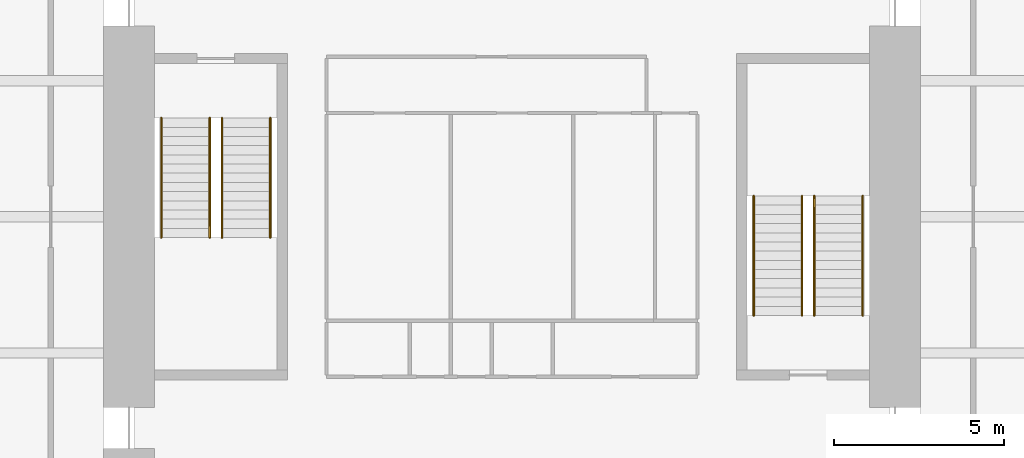
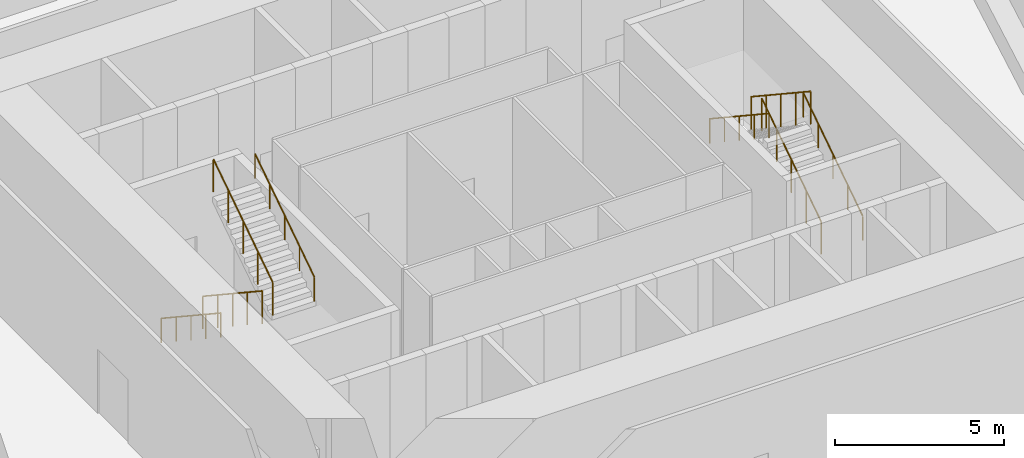
# One storey, part 6 of 6: 8 railings.
"""IFC4 building model written with IfcOpenShell, lengths in metres."""

from ifc_helpers import new_model, si_unit, direction, frame, origin, origin_2d, place, context, subcontext, project, spatial, circle, extrude, material, type_object, element, save


model = new_model("IFC4")

# Units and contexts
model_context = context("Model", 3, precision=1e-05, world=origin(), true_north=direction((0.0, 1.0)))
body_context = subcontext(model_context, "Body", "Model", "MODEL_VIEW")
ifc_project = project(units=[si_unit("LENGTHUNIT", "METRE"), si_unit("AREAUNIT", "SQUARE_METRE"), si_unit("VOLUMEUNIT", "CUBIC_METRE"), si_unit("PLANEANGLEUNIT", "RADIAN"), si_unit("MASSUNIT", "GRAM", prefix="KILO")], contexts=[model_context])

# Site, building, storey
site_placement = place(None, origin())
site = spatial("IfcSite", under=ifc_project, at=site_placement, CompositionType="ELEMENT")
building_placement = place(site_placement, origin())
building = spatial("IfcBuilding", under=site, at=building_placement, Name="Peilmerk Tower", CompositionType="ELEMENT")
storey_placement = place(building_placement, frame((0.0, 0.0, 302.800048828125)))
storey = spatial("IfcBuildingStorey", under=building, at=storey_placement, Name="L68", CompositionType="ELEMENT", Elevation=302.800048828125)

# Railings
ifc_material_1 = material(Name="Steel flat bar balustrade", Category="steel")
railing_type_1 = type_object("IfcRailingType", Name="GR1 1200 stair guard", PredefinedType="GUARDRAIL", material=ifc_material_1)
railing_1_placement = place(storey_placement, frame((-8.8798828125, 2.89990234375, 0.178466796875)))
element("IfcRailing", 1, at=railing_1_placement, inside=storey, type_object=railing_type_1, Name="Guard stair 1 L68", PredefinedType="GUARDRAIL", context=body_context, shape_type="SweptSolid", body=[
    extrude(circle(Radius=0.02392578125, at=origin_2d()), frame((0.0, 0.0, 1.17578125), z_axis=(0.0, -0.834070780157, 0.551657442339), x_axis=(1.0, 0.0, 0.0)), (0.0, 0.0, 1.0), 4.208251953125),
    extrude(circle(Radius=0.02099609375, at=origin_2d()), origin(), (0.0, 0.0, 1.0), 1.15185546875),
    extrude(circle(Radius=0.02099609375, at=origin_2d()), frame((0.0, -0.87744140625, 0.580322265625)), (0.0, 0.0, 1.0), 1.15185546875),
    extrude(circle(Radius=0.02099609375, at=origin_2d()), frame((0.0, -1.7548828125, 1.16064453125)), (0.0, 0.0, 1.0), 1.15185546875),
    extrude(circle(Radius=0.02099609375, at=origin_2d()), frame((0.0, -2.632568359375, 1.7412109375)), (0.0, 0.0, 1.0), 1.15185546875),
    extrude(circle(Radius=0.02099609375, at=origin_2d()), frame((0.0, -3.510009765625, 2.321533203125)), (0.0, 0.0, 1.0), 1.15185546875),
])
for number, where, name in (
    (2, (-8.52001953125, -0.610107421875, 2.678466796875), "Guard stair 1 L68"),
    (3, (8.8798828125, -2.89990234375, 0.178466796875), "Guard stair 2 L68"),
):
    element("IfcRailing", number, at=place(storey_placement, frame(where)), inside=storey, type_object=railing_type_1, Name=name, PredefinedType="GUARDRAIL", context=body_context, shape_type="SweptSolid", body=[
        extrude(circle(Radius=0.02392578125, at=origin_2d()), frame((0.0, 0.0, 1.17578125), z_axis=(0.0, 0.834070780157, 0.551657442339), x_axis=(-1.0, 0.0, 0.0)), (0.0, 0.0, 1.0), 4.208251953125),
        extrude(circle(Radius=0.02099609375, at=origin_2d()), origin(), (0.0, 0.0, 1.0), 1.15185546875),
        extrude(circle(Radius=0.02099609375, at=origin_2d()), frame((0.0, 0.87744140625, 0.580322265625)), (0.0, 0.0, 1.0), 1.15185546875),
        extrude(circle(Radius=0.02099609375, at=origin_2d()), frame((0.0, 1.7548828125, 1.16064453125)), (0.0, 0.0, 1.0), 1.15185546875),
        extrude(circle(Radius=0.02099609375, at=origin_2d()), frame((0.0, 2.632568359375, 1.7412109375)), (0.0, 0.0, 1.0), 1.15185546875),
        extrude(circle(Radius=0.02099609375, at=origin_2d()), frame((0.0, 3.510009765625, 2.321533203125)), (0.0, 0.0, 1.0), 1.15185546875),
    ])
railing_2_placement = place(storey_placement, frame((8.52001953125, 0.610107421875, 2.678466796875)))
element("IfcRailing", 4, at=railing_2_placement, inside=storey, type_object=railing_type_1, Name="Guard stair 2 L68", PredefinedType="GUARDRAIL", context=body_context, shape_type="SweptSolid", body=[
    extrude(circle(Radius=0.02392578125, at=origin_2d()), frame((0.0, 0.0, 1.17578125), z_axis=(0.0, -0.834070780157, 0.551657442339), x_axis=(1.0, 0.0, 0.0)), (0.0, 0.0, 1.0), 4.208251953125),
    extrude(circle(Radius=0.02099609375, at=origin_2d()), origin(), (0.0, 0.0, 1.0), 1.15185546875),
    extrude(circle(Radius=0.02099609375, at=origin_2d()), frame((0.0, -0.87744140625, 0.580322265625)), (0.0, 0.0, 1.0), 1.15185546875),
    extrude(circle(Radius=0.02099609375, at=origin_2d()), frame((0.0, -1.7548828125, 1.16064453125)), (0.0, 0.0, 1.0), 1.15185546875),
    extrude(circle(Radius=0.02099609375, at=origin_2d()), frame((0.0, -2.632568359375, 1.7412109375)), (0.0, 0.0, 1.0), 1.15185546875),
    extrude(circle(Radius=0.02099609375, at=origin_2d()), frame((0.0, -3.510009765625, 2.321533203125)), (0.0, 0.0, 1.0), 1.15185546875),
])
ifc_material_2 = material(Name="Stainless steel tube", Category="steel")
railing_type_2 = type_object("IfcRailingType", Name="HR1 900 stair handrail", PredefinedType="HANDRAIL", material=ifc_material_2)
railing_3_placement = place(storey_placement, frame((-10.300048828125, 2.89990234375, 0.178466796875)))
element("IfcRailing", 5, at=railing_3_placement, inside=storey, type_object=railing_type_2, Name="Handrail stair 1 L68", PredefinedType="HANDRAIL", context=body_context, shape_type="SweptSolid", body=[
    extrude(circle(Radius=0.02392578125, at=origin_2d()), frame((0.0, 0.0, 0.8759765625), z_axis=(0.0, -0.834070780157, 0.551657442339), x_axis=(1.0, 0.0, 0.0)), (0.0, 0.0, 1.0), 4.208251953125),
    extrude(circle(Radius=0.02099609375, at=origin_2d()), origin(), (0.0, 0.0, 1.0), 0.851806640625),
    extrude(circle(Radius=0.02099609375, at=origin_2d()), frame((0.0, -0.87744140625, 0.580322265625)), (0.0, 0.0, 1.0), 0.851806640625),
    extrude(circle(Radius=0.02099609375, at=origin_2d()), frame((0.0, -1.7548828125, 1.16064453125)), (0.0, 0.0, 1.0), 0.851806640625),
    extrude(circle(Radius=0.02099609375, at=origin_2d()), frame((0.0, -2.632568359375, 1.7412109375)), (0.0, 0.0, 1.0), 0.851806640625),
    extrude(circle(Radius=0.02099609375, at=origin_2d()), frame((0.0, -3.510009765625, 2.321533203125)), (0.0, 0.0, 1.0), 0.851806640625),
])
for number, where, name in (
    (6, (-7.10009765625, -0.610107421875, 2.678466796875), "Handrail stair 1 L68"),
    (7, (10.300048828125, -2.89990234375, 0.178466796875), "Handrail stair 2 L68"),
):
    element("IfcRailing", number, at=place(storey_placement, frame(where)), inside=storey, type_object=railing_type_2, Name=name, PredefinedType="HANDRAIL", context=body_context, shape_type="SweptSolid", body=[
        extrude(circle(Radius=0.02392578125, at=origin_2d()), frame((0.0, 0.0, 0.8759765625), z_axis=(0.0, 0.834070780157, 0.551657442339), x_axis=(-1.0, 0.0, 0.0)), (0.0, 0.0, 1.0), 4.208251953125),
        extrude(circle(Radius=0.02099609375, at=origin_2d()), origin(), (0.0, 0.0, 1.0), 0.851806640625),
        extrude(circle(Radius=0.02099609375, at=origin_2d()), frame((0.0, 0.87744140625, 0.580322265625)), (0.0, 0.0, 1.0), 0.851806640625),
        extrude(circle(Radius=0.02099609375, at=origin_2d()), frame((0.0, 1.7548828125, 1.16064453125)), (0.0, 0.0, 1.0), 0.851806640625),
        extrude(circle(Radius=0.02099609375, at=origin_2d()), frame((0.0, 2.632568359375, 1.7412109375)), (0.0, 0.0, 1.0), 0.851806640625),
        extrude(circle(Radius=0.02099609375, at=origin_2d()), frame((0.0, 3.510009765625, 2.321533203125)), (0.0, 0.0, 1.0), 0.851806640625),
    ])
railing_4_placement = place(storey_placement, frame((7.10009765625, 0.610107421875, 2.678466796875)))
element("IfcRailing", 8, at=railing_4_placement, inside=storey, type_object=railing_type_2, Name="Handrail stair 2 L68", PredefinedType="HANDRAIL", context=body_context, shape_type="SweptSolid", body=[
    extrude(circle(Radius=0.02392578125, at=origin_2d()), frame((0.0, 0.0, 0.8759765625), z_axis=(0.0, -0.834070780157, 0.551657442339), x_axis=(1.0, 0.0, 0.0)), (0.0, 0.0, 1.0), 4.208251953125),
    extrude(circle(Radius=0.02099609375, at=origin_2d()), origin(), (0.0, 0.0, 1.0), 0.851806640625),
    extrude(circle(Radius=0.02099609375, at=origin_2d()), frame((0.0, -0.87744140625, 0.580322265625)), (0.0, 0.0, 1.0), 0.851806640625),
    extrude(circle(Radius=0.02099609375, at=origin_2d()), frame((0.0, -1.7548828125, 1.16064453125)), (0.0, 0.0, 1.0), 0.851806640625),
    extrude(circle(Radius=0.02099609375, at=origin_2d()), frame((0.0, -2.632568359375, 1.7412109375)), (0.0, 0.0, 1.0), 0.851806640625),
    extrude(circle(Radius=0.02099609375, at=origin_2d()), frame((0.0, -3.510009765625, 2.321533203125)), (0.0, 0.0, 1.0), 0.851806640625),
])

save(model, "model.ifc")
